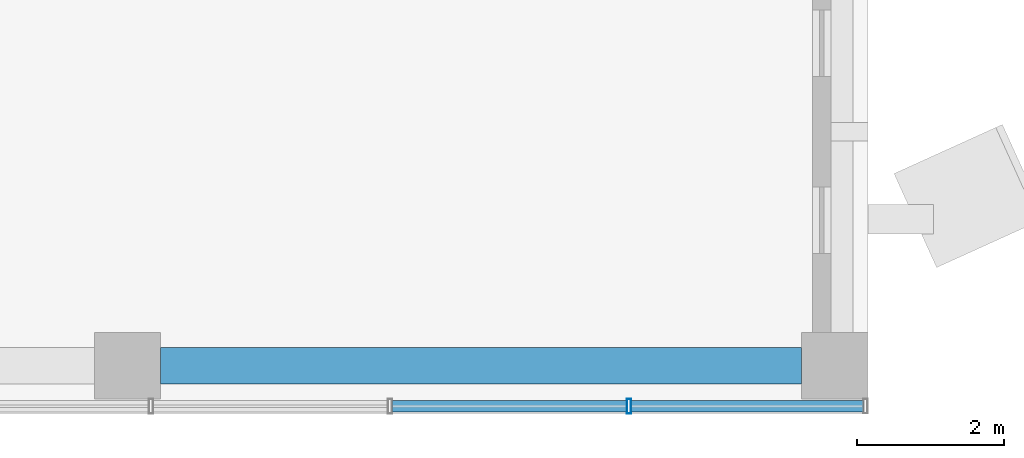
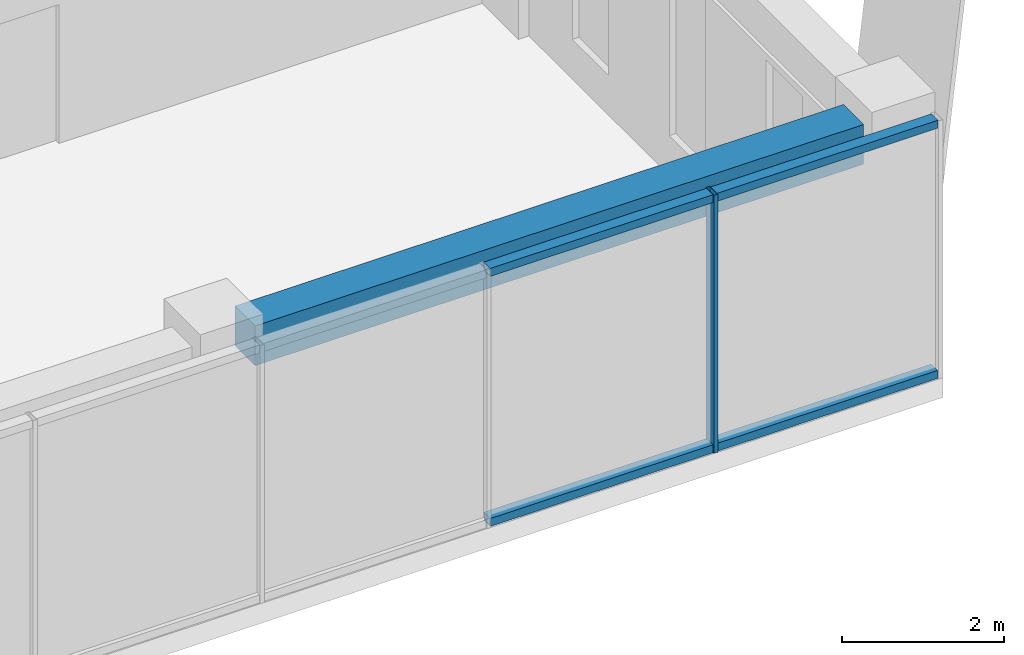
# One storey, part 12 of 36: 5 members, 1 beam, 1 element without a shape of its own.
"""IFC4 building model written with IfcOpenShell, lengths in metres."""

import ifcopenshell
import ifcopenshell.guid

model = None  # the IFC model being written
_history = None  # IfcOwnerHistory: only IFC2X3 demands one
_inside = {}  # id of a spatial element -> (the spatial element, [elements in it])
_under = {}  # id of a project, library or spatial element -> (it, [spatial elements below it])
_declared = {}  # id of a project -> (the project, [libraries it declares])
_typed = {}  # id of a type object -> (the type object, [elements of that type])
_made_of = {}  # id of a material, layer set ... -> (it, [elements and type objects made of it])


def new_model(schema):
    """Start an empty IFC model of exactly this schema.

    Asked for "IFC4X3", IfcOpenShell would pick the latest addendum, in which some entities
    have other attributes; the version numbers below select the first issue.
    IFC2X3 requires an IfcOwnerHistory on every rooted entity: one is made here for all.
    """
    global model, _history
    if schema == "IFC4X3":
        model = ifcopenshell.file(schema_version=(4, 3, 0, 0))
    else:
        model = ifcopenshell.file(schema=schema)
    _inside.clear()
    _under.clear()
    _declared.clear()
    _typed.clear()
    _made_of.clear()
    _history = None
    if model.schema == "IFC2X3":
        org = make("IfcOrganization", Name="unknown")
        user = make(
            "IfcPersonAndOrganization",
            ThePerson=make("IfcPerson", FamilyName="unknown"),
            TheOrganization=org,
        )
        app = make(
            "IfcApplication",
            ApplicationDeveloper=org,
            Version="unknown",
            ApplicationFullName="unknown",
            ApplicationIdentifier="unknown",
        )
        _history = make(
            "IfcOwnerHistory",
            OwningUser=user,
            OwningApplication=app,
            ChangeAction="ADDED",
            CreationDate=0,
        )
    return model


def make(cls, **values):
    """One entity of the class cls with the attributes given. An attribute that is None is left unset."""
    return model.create_entity(
        cls, **{name: value for name, value in values.items() if value is not None}
    )


def rooted(cls, **values):
    """An entity with a GlobalId (a new one), such as an element, a storey or a relation."""
    return make(cls, GlobalId=ifcopenshell.guid.new(), OwnerHistory=_history, **values)


def si_unit(unit_type, name, prefix=None):
    """IfcSIUnit, for example si_unit("LENGTHUNIT", "METRE", prefix="MILLI")."""
    return make("IfcSIUnit", UnitType=unit_type, Prefix=prefix, Name=name)


def assignment(units):
    """IfcUnitAssignment: the units of a project."""
    return None if units is None else make("IfcUnitAssignment", Units=units)


def point(xyz):
    """IfcCartesianPoint."""
    return None if xyz is None else make("IfcCartesianPoint", Coordinates=xyz)


def direction(xyz):
    """IfcDirection."""
    return None if xyz is None else make("IfcDirection", DirectionRatios=xyz)


def frame(location, z_axis=None, x_axis=None):
    """IfcAxis2Placement3D, a coordinate frame: its origin and axes. An axis left out is left unset."""
    return make(
        "IfcAxis2Placement3D",
        Location=point(location),
        Axis=direction(z_axis),
        RefDirection=direction(x_axis),
    )


def frame_2d(location, x_axis=None):
    """IfcAxis2Placement2D, a coordinate frame in the plane: its origin and x axis."""
    return make(
        "IfcAxis2Placement2D", Location=point(location), RefDirection=direction(x_axis)
    )


def origin():
    """The frame at (0, 0, 0) with its axes left unset."""
    return frame((0.0, 0.0, 0.0))


def origin_2d():
    """The frame at (0, 0) in the plane with its x axis left unset."""
    return frame_2d((0.0, 0.0))


def place(relative_to, where):
    """IfcLocalPlacement: puts the frame where relative to a parent placement (None: the world)."""
    return make(
        "IfcLocalPlacement", PlacementRelTo=relative_to, RelativePlacement=where
    )


def context(
    kind, dimensions, precision=None, world=None, true_north=None, identifier=None
):
    """IfcGeometricRepresentationContext, for example the 3D "Model" context."""
    return make(
        "IfcGeometricRepresentationContext",
        ContextIdentifier=identifier,
        ContextType=kind,
        CoordinateSpaceDimension=dimensions,
        Precision=precision,
        WorldCoordinateSystem=world,
        TrueNorth=true_north,
    )


def subcontext(parent, identifier, kind, view, scale=None):
    """IfcGeometricRepresentationSubContext, for example "Body" below "Model"."""
    return make(
        "IfcGeometricRepresentationSubContext",
        ContextIdentifier=identifier,
        ContextType=kind,
        ParentContext=parent,
        TargetScale=scale,
        TargetView=view,
    )


def project(units=None, contexts=None):
    """IfcProject with its units and contexts."""
    return rooted(
        "IfcProject",
        Name="project",
        RepresentationContexts=contexts,
        UnitsInContext=assignment(units),
    )


def spatial(cls, under=None, at=None, **own):
    """A site, building, storey or space (cls), placed at a placement, below another one or the project."""
    s = rooted(cls, ObjectPlacement=at, **own)
    if under is not None:
        _under.setdefault(under.id(), (under, []))[1].append(s)
    return s


def profile(cls, at=None, kind="AREA", **sizes):
    """A parametric profile (cls). Its sizes go by their IFC names, for example OverallWidth=200.0."""
    return make(cls, ProfileType=kind, Position=at, **sizes)


def rectangle(**sizes):
    """IfcRectangleProfileDef."""
    return profile("IfcRectangleProfileDef", **sizes)


def hollow_rectangle(**sizes):
    """IfcRectangleHollowProfileDef."""
    return profile("IfcRectangleHollowProfileDef", **sizes)


def extrude(swept, where, along, depth):
    """IfcExtrudedAreaSolid: the profile swept, set in the frame where, extruded along a direction by depth."""
    return make(
        "IfcExtrudedAreaSolid",
        SweptArea=swept,
        Position=where,
        ExtrudedDirection=direction(along),
        Depth=depth,
    )


def shape(context_of_items, identifier, shape_type, items):
    """IfcShapeRepresentation: the items that make up one representation, for example the "Body"."""
    return make(
        "IfcShapeRepresentation",
        ContextOfItems=context_of_items,
        RepresentationIdentifier=identifier,
        RepresentationType=shape_type,
        Items=items,
    )


def material(Name=None, Category=None):
    """IfcMaterial."""
    return make("IfcMaterial", Name=Name, Category=Category)


def layer(
    of_material, thickness, ventilated=None, Name=None, Category=None, Priority=None
):
    """IfcMaterialLayer: one layer of a wall or slab, of a material (None: an air gap)."""
    return make(
        "IfcMaterialLayer",
        Material=of_material,
        LayerThickness=thickness,
        IsVentilated=ventilated,
        Name=Name,
        Category=Category,
        Priority=Priority,
    )


def layer_set(layers, Name=None):
    """IfcMaterialLayerSet."""
    return make("IfcMaterialLayerSet", MaterialLayers=layers, LayerSetName=Name)


def material_profile(
    of_material, cross_section, Name=None, Category=None, Priority=None
):
    """IfcMaterialProfile: a cross section and its material."""
    return make(
        "IfcMaterialProfile",
        Name=Name,
        Material=of_material,
        Profile=cross_section,
        Priority=Priority,
        Category=Category,
    )


def profile_set(profiles, Name=None, composite=None):
    """IfcMaterialProfileSet."""
    return make(
        "IfcMaterialProfileSet",
        Name=Name,
        MaterialProfiles=profiles,
        CompositeProfile=composite,
    )


def made_of(thing, what):
    """Note that an element or type object is made of a material, layer set ...; save() writes the relation."""
    if what is not None:
        _made_of.setdefault(what.id(), (what, []))[1].append(thing)
    return thing


def type_object(cls, material=None, **own):
    """A type object (cls), such as IfcWallType, which elements share."""
    return made_of(rooted(cls, **own), material)


def element(
    cls,
    number,
    at=None,
    inside=None,
    cuts=None,
    type_object=None,
    material=None,
    context=None,
    identifier="Body",
    shape_type=None,
    held_by="IfcProductDefinitionShape",
    body=None,
    shapes=None,
    **own,
):
    """One element of the class cls, such as IfcWall. Its Tag is "e" and its number.

    at: its placement. inside: the storey or other place that contains it. cuts: it is an
    opening in that element (IfcRelVoidsElement). A single representation is given by context,
    identifier, shape_type and body (its items); several are given by shapes. held_by: the class
    of the entity that holds the representations. save() writes the other relations.
    """
    e = rooted(cls, Tag="e%d" % number, ObjectPlacement=at, **own)
    if body is not None:
        shapes = [shape(context, identifier, shape_type, body)]
    if shapes is not None:
        e.Representation = make(held_by, Representations=shapes)
    if inside is not None:
        _inside.setdefault(inside.id(), (inside, []))[1].append(e)
    if cuts is not None:
        rooted(
            "IfcRelVoidsElement", RelatingBuildingElement=cuts, RelatedOpeningElement=e
        )
    if type_object is not None:
        _typed.setdefault(type_object.id(), (type_object, []))[1].append(e)
    return made_of(e, material)


def aggregate(whole, parts):
    """IfcRelAggregates: a whole, such as a stair, and the parts it consists of."""
    return rooted("IfcRelAggregates", RelatingObject=whole, RelatedObjects=parts)


def save(model, path):
    """Write the relations noted so far, then the file.

    IfcRelAggregates (storeys below a building ...), IfcRelContainedInSpatialStructure (elements
    in a storey), IfcRelDefinesByType, IfcRelAssociatesMaterial and IfcRelDeclares: one each for
    every whole, place, type object, material and project.
    """
    for whole, parts in _under.values():
        aggregate(whole, parts)
    for where, things in _inside.values():
        rooted(
            "IfcRelContainedInSpatialStructure",
            RelatedElements=things,
            RelatingStructure=where,
        )
    for kind, things in _typed.values():
        rooted("IfcRelDefinesByType", RelatedObjects=things, RelatingType=kind)
    for what, things in _made_of.values():
        rooted("IfcRelAssociatesMaterial", RelatedObjects=things, RelatingMaterial=what)
    for by, libraries in _declared.values():
        rooted("IfcRelDeclares", RelatingContext=by, RelatedDefinitions=libraries)
    model.write(path)


model = new_model("IFC4")

# Units and contexts
model_context = context("Model", 3, precision=1e-05, world=origin(), true_north=direction((0.0, 1.0)))
body_context = subcontext(model_context, "Body", "Model", "MODEL_VIEW")
ifc_project = project(units=[si_unit("LENGTHUNIT", "METRE"), si_unit("AREAUNIT", "SQUARE_METRE"), si_unit("VOLUMEUNIT", "CUBIC_METRE"), si_unit("PLANEANGLEUNIT", "RADIAN"), si_unit("MASSUNIT", "GRAM", prefix="KILO")], contexts=[model_context])

# Site, building, storey
site_placement = place(None, origin())
site = spatial("IfcSite", under=ifc_project, at=site_placement, CompositionType="ELEMENT")
building_placement = place(site_placement, origin())
building = spatial("IfcBuilding", under=site, at=building_placement, Name="Nzadi Deep Aquarium and Research Tower", CompositionType="ELEMENT")
storey_placement = place(building_placement, frame((0.0, 0.0, 40.300048828125)))
storey = spatial("IfcBuildingStorey", under=building, at=storey_placement, Name="L07", CompositionType="ELEMENT", Elevation=40.300048828125)

# Curtain wall, member
ifc_material_1 = material(Name="Aluminium unitised frame", Category="aluminium")
ifc_layer = layer(ifc_material_1, 0.199951171875)
ifc_layer_set = layer_set([ifc_layer], Name="Aluminium unitised frame")
curtain_wall_type = type_object("IfcCurtainWallType", Name="Curtain wall Unitised 200", PredefinedType="NOTDEFINED", material=ifc_layer_set)
curtain_wall_placement = place(storey_placement, origin())
curtain_wall = element("IfcCurtainWall", 1, at=curtain_wall_placement, inside=storey, type_object=curtain_wall_type, Name="Unitised curtain wall blade A south L07", PredefinedType="NOTDEFINED")
ifc_material_2 = material(Name="Aluminium unitised frame", Category="aluminium")
ifc_material_profile_1 = material_profile(ifc_material_2, hollow_rectangle(XDim=0.199951171875, YDim=0.06005859375, WallThickness=0.0048828125, at=origin_2d()))
ifc_profile_set_1 = profile_set([ifc_material_profile_1], Name="Aluminium unitised frame")
member_type_1 = type_object("IfcMemberType", Name="Mullion 60x200 Unitised", PredefinedType="MULLION", material=ifc_profile_set_1)
member_1_placement = place(storey_placement, frame((45.206787109375, -0.10009765625, 0.0), z_axis=(0.0, 0.0, 1.0), x_axis=(0.0, 1.0, 0.0)))
member_1 = element("IfcMember", 2, at=member_1_placement, type_object=member_type_1, Name="CW015 mullion 15", PredefinedType="MULLION", context=body_context, shape_type="SweptSolid", body=[
    extrude(hollow_rectangle(XDim=0.199951171875, YDim=0.06005859375, WallThickness=0.0048828125, at=origin_2d()), origin(), (0.0, 0.0, 1.0), 3.89990234375),
])

# Beam
ifc_material_3 = material(Name="Concrete C35/45", Category="concrete")
ifc_material_profile_2 = material_profile(ifc_material_3, rectangle(XDim=0.5, YDim=0.60009765625, at=origin_2d()))
ifc_profile_set_2 = profile_set([ifc_material_profile_2], Name="Concrete C35/45")
beam_type = type_object("IfcBeamType", Name="RC 500x600", PredefinedType="BEAM", material=ifc_profile_set_2)
beam_placement = place(storey_placement, frame((38.85009765625, 0.449951171875, 3.599853515625), z_axis=(1.0, 0.0, 0.0), x_axis=(0.0, 1.0, 0.0)))
element("IfcBeam", 3, at=beam_placement, inside=storey, type_object=beam_type, Name="B-Z1-L07-L1-5", PredefinedType="BEAM", context=body_context, shape_type="SweptSolid", body=[
    extrude(rectangle(XDim=0.5, YDim=0.60009765625, at=origin_2d()), origin(), (0.0, 0.0, 1.0), 8.699951171875),
])

# Member
ifc_material_4 = material(Name="Aluminium unitised frame", Category="aluminium")
ifc_material_profile_3 = material_profile(ifc_material_4, hollow_rectangle(XDim=0.159912109375, YDim=0.1201171875, WallThickness=0.0048828125, at=origin_2d()))
ifc_profile_set_3 = profile_set([ifc_material_profile_3], Name="Aluminium unitised frame")
member_type_2 = type_object("IfcMemberType", Name="Transom 120x160 Unitised", PredefinedType="MULLION", material=ifc_profile_set_3)
member_2_placement = place(storey_placement, frame((41.993408203125, -0.10009765625, 0.06005859375), z_axis=(1.0, 0.0, 0.0), x_axis=(0.0, 1.0, 0.0)))
member_2 = element("IfcMember", 4, at=member_2_placement, type_object=member_type_2, Name="CW015 transom 14.1", PredefinedType="MULLION", context=body_context, shape_type="SweptSolid", body=[
    extrude(hollow_rectangle(XDim=0.159912109375, YDim=0.1201171875, WallThickness=0.0048828125, at=origin_2d()), origin(), (0.0, 0.0, 1.0), 3.183349609375),
])

member_3_placement = place(storey_placement, frame((41.993408203125, -0.10009765625, 3.83984375), z_axis=(1.0, 0.0, 0.0), x_axis=(0.0, 1.0, 0.0)))
member_3 = element("IfcMember", 5, at=member_3_placement, type_object=member_type_2, Name="CW015 transom 14.2", PredefinedType="MULLION", context=body_context, shape_type="SweptSolid", body=[
    extrude(hollow_rectangle(XDim=0.159912109375, YDim=0.1201171875, WallThickness=0.0048828125, at=origin_2d()), origin(), (0.0, 0.0, 1.0), 3.183349609375),
])

member_4_placement = place(storey_placement, frame((45.236572265625, -0.10009765625, 0.06005859375), z_axis=(1.0, 0.0, 0.0), x_axis=(0.0, 1.0, 0.0)))
member_4 = element("IfcMember", 6, at=member_4_placement, type_object=member_type_2, Name="CW015 transom 15.1", PredefinedType="MULLION", context=body_context, shape_type="SweptSolid", body=[
    extrude(hollow_rectangle(XDim=0.159912109375, YDim=0.1201171875, WallThickness=0.0048828125, at=origin_2d()), origin(), (0.0, 0.0, 1.0), 3.1533203125),
])

member_5_placement = place(storey_placement, frame((45.236572265625, -0.10009765625, 3.83984375), z_axis=(1.0, 0.0, 0.0), x_axis=(0.0, 1.0, 0.0)))
member_5 = element("IfcMember", 7, at=member_5_placement, type_object=member_type_2, Name="CW015 transom 15.2", PredefinedType="MULLION", context=body_context, shape_type="SweptSolid", body=[
    extrude(hollow_rectangle(XDim=0.159912109375, YDim=0.1201171875, WallThickness=0.0048828125, at=origin_2d()), origin(), (0.0, 0.0, 1.0), 3.1533203125),
])

aggregate(curtain_wall, [member_1, member_2, member_3, member_4, member_5])

save(model, "model.ifc")
